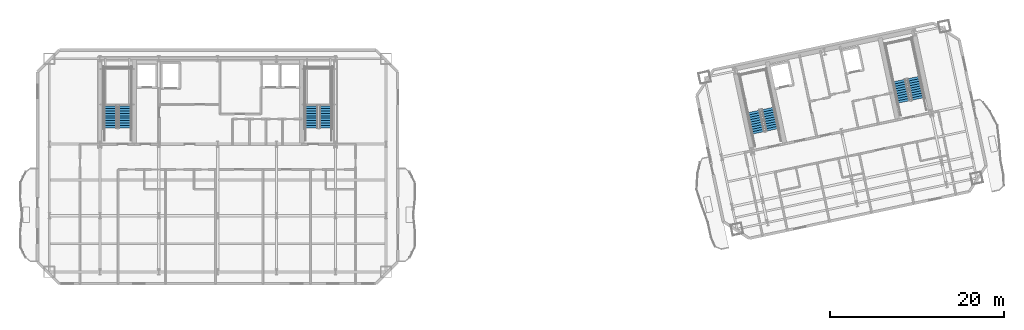
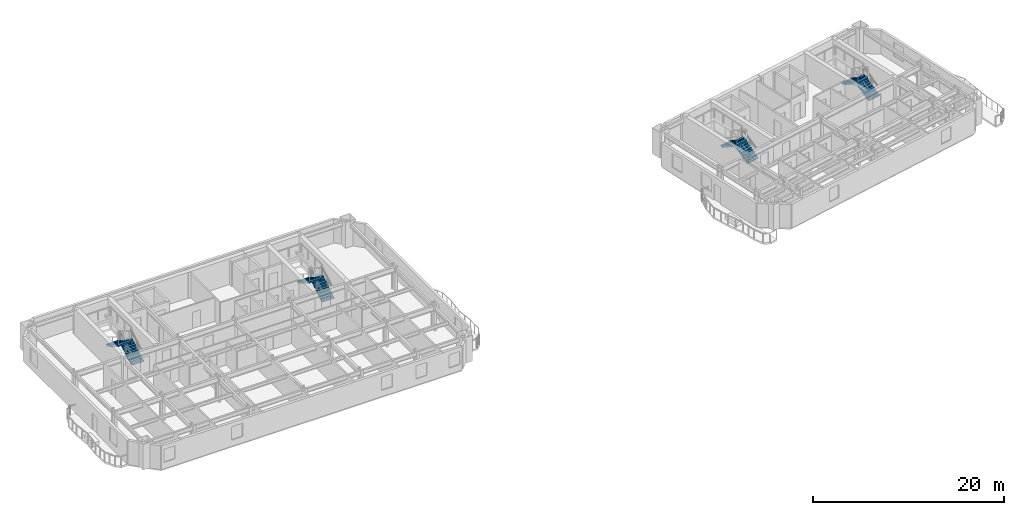
# One storey, part 9 of 13: 8 stair flights, 4 elements without a shape of their own.
"""IFC4 building model written with IfcOpenShell, lengths in metres."""

from ifc_helpers import new_model, si_unit, direction, frame, origin, place, context, subcontext, project, spatial, polyline, outline, extrude, material, type_object, element, aggregate, save


model = new_model("IFC4")

# Units and contexts
model_context = context("Model", 3, precision=1e-05, world=origin(), true_north=direction((0.0, 1.0)))
body_context = subcontext(model_context, "Body", "Model", "MODEL_VIEW")
ifc_project = project(units=[si_unit("LENGTHUNIT", "METRE"), si_unit("AREAUNIT", "SQUARE_METRE"), si_unit("VOLUMEUNIT", "CUBIC_METRE"), si_unit("PLANEANGLEUNIT", "RADIAN"), si_unit("MASSUNIT", "GRAM", prefix="KILO")], contexts=[model_context])

# Site, building, storey
site_placement = place(None, origin())
site = spatial("IfcSite", under=ifc_project, at=site_placement, CompositionType="ELEMENT")
building_placement = place(site_placement, origin())
building = spatial("IfcBuilding", under=site, at=building_placement, Name="Haevon Station Towers", CompositionType="ELEMENT")
storey_placement = place(building_placement, frame((0.0, 0.0, 182.39990234375)))
storey = spatial("IfcBuildingStorey", under=building, at=storey_placement, Name="L50", CompositionType="ELEMENT", Elevation=182.39990234375)

# Stair, stair flights
ifc_material = material(Name="Concrete C40/50", Category="concrete")
stair_type = type_object("IfcStairType", Name="STR-DL1450", PredefinedType="USERDEFINED", material=ifc_material)
stair_1_placement = place(storey_placement, origin())
stair_1 = element("IfcStair", 1, at=stair_1_placement, inside=storey, type_object=stair_type, Name="L50 Escape Stair ST1", ObjectType="TWO_RETURN_STAIR", PredefinedType="USERDEFINED")
stair_flight_type = type_object("IfcStairFlightType", Name="STF-ST1450", PredefinedType="STRAIGHT", material=ifc_material)
stair_flight_1_placement = place(storey_placement, frame((26.85498046875, 40.050048828125, 0.0), z_axis=(0.0, 0.0, 1.0), x_axis=(0.0, 1.0, 0.0)))
stair_flight_1 = element("IfcStairFlight", 2, at=stair_flight_1_placement, type_object=stair_flight_type, Name="L50 ST1 Flight 1", NumberOfRisers=10, NumberOfTreads=9, PredefinedType="STRAIGHT", RiserHeight=0.165, TreadLength=0.28, context=body_context, shape_type="SweptSolid", body=[
    extrude(outline(polyline([(0.0, 0.0), (0.0, 0.1650390625), (0.280029296875, 0.1650390625), (0.280029296875, 0.330078125), (0.56005859375, 0.330078125), (0.56005859375, 0.4951171875), (0.840087890625, 0.4951171875), (0.840087890625, 0.659912109375), (1.1201171875, 0.659912109375), (1.1201171875, 0.824951171875), (1.39990234375, 0.824951171875), (1.39990234375, 0.989990234375), (1.679931640625, 0.989990234375), (1.679931640625, 1.155029296875), (1.9599609375, 1.155029296875), (1.9599609375, 1.320068359375), (2.239990234375, 1.320068359375), (2.239990234375, 1.485107421875), (2.52001953125, 1.485107421875), (2.52001953125, 1.64990234375), (2.52001953125, 1.29931640625), (0.31494140625, 0.0), (0.0, 0.0)])), frame((0.0, 0.72509765625, 0.0), z_axis=(0.0, -1.0, 0.0), x_axis=(1.0, 0.0, 0.0)), (0.0, 0.0, 1.0), 1.449951171875),
])
stair_flight_2_placement = place(storey_placement, frame((25.205078125, 42.570068359375, 1.650146484375), z_axis=(0.0, 0.0, 1.0), x_axis=(0.0, -1.0, 0.0)))
stair_flight_2 = element("IfcStairFlight", 3, at=stair_flight_2_placement, type_object=stair_flight_type, Name="L50 ST1 Flight 2", NumberOfRisers=10, NumberOfTreads=9, PredefinedType="STRAIGHT", RiserHeight=0.165, TreadLength=0.28, context=body_context, shape_type="SweptSolid", body=[
    extrude(outline(polyline([(0.0, 0.0), (0.0, 0.1650390625), (0.280029296875, 0.1650390625), (0.280029296875, 0.330078125), (0.56005859375, 0.330078125), (0.56005859375, 0.4951171875), (0.840087890625, 0.4951171875), (0.840087890625, 0.659912109375), (1.1201171875, 0.659912109375), (1.1201171875, 0.824951171875), (1.39990234375, 0.824951171875), (1.39990234375, 0.989990234375), (1.679931640625, 0.989990234375), (1.679931640625, 1.155029296875), (1.9599609375, 1.155029296875), (1.9599609375, 1.320068359375), (2.239990234375, 1.320068359375), (2.239990234375, 1.485107421875), (2.52001953125, 1.485107421875), (2.52001953125, 1.64990234375), (2.52001953125, 1.29931640625), (0.31494140625, 0.0), (0.0, 0.0)])), frame((0.0, 0.72509765625, 0.0), z_axis=(0.0, -1.0, 0.0), x_axis=(1.0, 0.0, 0.0)), (0.0, 0.0, 1.0), 1.449951171875),
])
aggregate(stair_1, [stair_flight_1, stair_flight_2])

stair_2_placement = place(storey_placement, origin())
stair_2 = element("IfcStair", 4, at=stair_2_placement, inside=storey, type_object=stair_type, Name="L50 Escape Stair ST2", ObjectType="TWO_RETURN_STAIR", PredefinedType="USERDEFINED")
stair_flight_3_placement = place(storey_placement, frame((49.89501953125, 40.050048828125, 0.0), z_axis=(0.0, 0.0, 1.0), x_axis=(0.0, 1.0, 0.0)))
stair_flight_3 = element("IfcStairFlight", 5, at=stair_flight_3_placement, type_object=stair_flight_type, Name="L50 ST2 Flight 1", NumberOfRisers=10, NumberOfTreads=9, PredefinedType="STRAIGHT", RiserHeight=0.165, TreadLength=0.28, context=body_context, shape_type="SweptSolid", body=[
    extrude(outline(polyline([(0.0, 0.0), (0.0, 0.1650390625), (0.280029296875, 0.1650390625), (0.280029296875, 0.330078125), (0.56005859375, 0.330078125), (0.56005859375, 0.4951171875), (0.840087890625, 0.4951171875), (0.840087890625, 0.659912109375), (1.1201171875, 0.659912109375), (1.1201171875, 0.824951171875), (1.39990234375, 0.824951171875), (1.39990234375, 0.989990234375), (1.679931640625, 0.989990234375), (1.679931640625, 1.155029296875), (1.9599609375, 1.155029296875), (1.9599609375, 1.320068359375), (2.239990234375, 1.320068359375), (2.239990234375, 1.485107421875), (2.52001953125, 1.485107421875), (2.52001953125, 1.64990234375), (2.52001953125, 1.29931640625), (0.31494140625, 0.0), (0.0, 0.0)])), frame((0.0, 0.72509765625, 0.0), z_axis=(0.0, -1.0, 0.0), x_axis=(1.0, 0.0, 0.0)), (0.0, 0.0, 1.0), 1.449951171875),
])
stair_flight_4_placement = place(storey_placement, frame((48.2451171875, 42.570068359375, 1.650146484375), z_axis=(0.0, 0.0, 1.0), x_axis=(0.0, -1.0, 0.0)))
stair_flight_4 = element("IfcStairFlight", 6, at=stair_flight_4_placement, type_object=stair_flight_type, Name="L50 ST2 Flight 2", NumberOfRisers=10, NumberOfTreads=9, PredefinedType="STRAIGHT", RiserHeight=0.165, TreadLength=0.28, context=body_context, shape_type="SweptSolid", body=[
    extrude(outline(polyline([(0.0, 0.0), (0.0, 0.1650390625), (0.280029296875, 0.1650390625), (0.280029296875, 0.330078125), (0.56005859375, 0.330078125), (0.56005859375, 0.4951171875), (0.840087890625, 0.4951171875), (0.840087890625, 0.659912109375), (1.1201171875, 0.659912109375), (1.1201171875, 0.824951171875), (1.39990234375, 0.824951171875), (1.39990234375, 0.989990234375), (1.679931640625, 0.989990234375), (1.679931640625, 1.155029296875), (1.9599609375, 1.155029296875), (1.9599609375, 1.320068359375), (2.239990234375, 1.320068359375), (2.239990234375, 1.485107421875), (2.52001953125, 1.485107421875), (2.52001953125, 1.64990234375), (2.52001953125, 1.29931640625), (0.31494140625, 0.0), (0.0, 0.0)])), frame((0.0, 0.72509765625, 0.0), z_axis=(0.0, -1.0, 0.0), x_axis=(1.0, 0.0, 0.0)), (0.0, 0.0, 1.0), 1.449951171875),
])
aggregate(stair_2, [stair_flight_3, stair_flight_4])

stair_3_placement = place(storey_placement, origin())
stair_3 = element("IfcStair", 7, at=stair_3_placement, inside=storey, type_object=stair_type, Name="L50 Escape Stair ST3", ObjectType="TWO_RETURN_STAIR", PredefinedType="USERDEFINED")
stair_flight_5_placement = place(storey_placement, frame((101.1015625, 39.8330078125, 0.0), z_axis=(0.0, 0.0, 1.0), x_axis=(-0.207911690818, 0.978147600734, 0.0)))
stair_flight_5 = element("IfcStairFlight", 8, at=stair_flight_5_placement, type_object=stair_flight_type, Name="L50 ST3 Flight 1", NumberOfRisers=10, NumberOfTreads=9, PredefinedType="STRAIGHT", RiserHeight=0.165, TreadLength=0.28, context=body_context, shape_type="SweptSolid", body=[
    extrude(outline(polyline([(0.0, 0.0), (0.0, 0.1650390625), (0.280029296875, 0.1650390625), (0.280029296875, 0.330078125), (0.56005859375, 0.330078125), (0.56005859375, 0.4951171875), (0.840087890625, 0.4951171875), (0.840087890625, 0.659912109375), (1.1201171875, 0.659912109375), (1.1201171875, 0.824951171875), (1.39990234375, 0.824951171875), (1.39990234375, 0.989990234375), (1.679931640625, 0.989990234375), (1.679931640625, 1.155029296875), (1.9599609375, 1.155029296875), (1.9599609375, 1.320068359375), (2.239990234375, 1.320068359375), (2.239990234375, 1.485107421875), (2.52001953125, 1.485107421875), (2.52001953125, 1.64990234375), (2.52001953125, 1.29931640625), (0.31494140625, 0.0), (0.0, 0.0)])), frame((0.0, 0.72509765625, 0.0), z_axis=(0.0, -1.0, 0.0), x_axis=(1.0, 0.0, 0.0)), (0.0, 0.0, 1.0), 1.449951171875),
])
stair_flight_6_placement = place(storey_placement, frame((98.9638671875, 41.955078125, 1.650146484375), z_axis=(0.0, 0.0, 1.0), x_axis=(0.207911690818, -0.978147600734, 0.0)))
stair_flight_6 = element("IfcStairFlight", 9, at=stair_flight_6_placement, type_object=stair_flight_type, Name="L50 ST3 Flight 2", NumberOfRisers=10, NumberOfTreads=9, PredefinedType="STRAIGHT", RiserHeight=0.165, TreadLength=0.28, context=body_context, shape_type="SweptSolid", body=[
    extrude(outline(polyline([(0.0, 0.0), (0.0, 0.1650390625), (0.280029296875, 0.1650390625), (0.280029296875, 0.330078125), (0.56005859375, 0.330078125), (0.56005859375, 0.4951171875), (0.840087890625, 0.4951171875), (0.840087890625, 0.659912109375), (1.1201171875, 0.659912109375), (1.1201171875, 0.824951171875), (1.39990234375, 0.824951171875), (1.39990234375, 0.989990234375), (1.679931640625, 0.989990234375), (1.679931640625, 1.155029296875), (1.9599609375, 1.155029296875), (1.9599609375, 1.320068359375), (2.239990234375, 1.320068359375), (2.239990234375, 1.485107421875), (2.52001953125, 1.485107421875), (2.52001953125, 1.64990234375), (2.52001953125, 1.29931640625), (0.31494140625, 0.0), (0.0, 0.0)])), frame((0.0, 0.72509765625, 0.0), z_axis=(0.0, -1.0, 0.0), x_axis=(1.0, 0.0, 0.0)), (0.0, 0.0, 1.0), 1.449951171875),
])
aggregate(stair_3, [stair_flight_5, stair_flight_6])

stair_4_placement = place(storey_placement, origin())
stair_4 = element("IfcStair", 10, at=stair_4_placement, inside=storey, type_object=stair_type, Name="L50 Escape Stair ST4", ObjectType="TWO_RETURN_STAIR", PredefinedType="USERDEFINED")
stair_flight_7_placement = place(storey_placement, frame((117.788818359375, 43.380126953125, 0.0), z_axis=(0.0, 0.0, 1.0), x_axis=(-0.207911690818, 0.978147600734, 0.0)))
stair_flight_7 = element("IfcStairFlight", 11, at=stair_flight_7_placement, type_object=stair_flight_type, Name="L50 ST4 Flight 1", NumberOfRisers=10, NumberOfTreads=9, PredefinedType="STRAIGHT", RiserHeight=0.165, TreadLength=0.28, context=body_context, shape_type="SweptSolid", body=[
    extrude(outline(polyline([(0.0, 0.0), (0.0, 0.1650390625), (0.280029296875, 0.1650390625), (0.280029296875, 0.330078125), (0.56005859375, 0.330078125), (0.56005859375, 0.4951171875), (0.840087890625, 0.4951171875), (0.840087890625, 0.659912109375), (1.1201171875, 0.659912109375), (1.1201171875, 0.824951171875), (1.39990234375, 0.824951171875), (1.39990234375, 0.989990234375), (1.679931640625, 0.989990234375), (1.679931640625, 1.155029296875), (1.9599609375, 1.155029296875), (1.9599609375, 1.320068359375), (2.239990234375, 1.320068359375), (2.239990234375, 1.485107421875), (2.52001953125, 1.485107421875), (2.52001953125, 1.64990234375), (2.52001953125, 1.29931640625), (0.31494140625, 0.0), (0.0, 0.0)])), frame((0.0, 0.72509765625, 0.0), z_axis=(0.0, -1.0, 0.0), x_axis=(1.0, 0.0, 0.0)), (0.0, 0.0, 1.0), 1.449951171875),
])
stair_flight_8_placement = place(storey_placement, frame((115.65087890625, 45.501953125, 1.650146484375), z_axis=(0.0, 0.0, 1.0), x_axis=(0.207911690818, -0.978147600734, 0.0)))
stair_flight_8 = element("IfcStairFlight", 12, at=stair_flight_8_placement, type_object=stair_flight_type, Name="L50 ST4 Flight 2", NumberOfRisers=10, NumberOfTreads=9, PredefinedType="STRAIGHT", RiserHeight=0.165, TreadLength=0.28, context=body_context, shape_type="SweptSolid", body=[
    extrude(outline(polyline([(0.0, 0.0), (0.0, 0.1650390625), (0.280029296875, 0.1650390625), (0.280029296875, 0.330078125), (0.56005859375, 0.330078125), (0.56005859375, 0.4951171875), (0.840087890625, 0.4951171875), (0.840087890625, 0.659912109375), (1.1201171875, 0.659912109375), (1.1201171875, 0.824951171875), (1.39990234375, 0.824951171875), (1.39990234375, 0.989990234375), (1.679931640625, 0.989990234375), (1.679931640625, 1.155029296875), (1.9599609375, 1.155029296875), (1.9599609375, 1.320068359375), (2.239990234375, 1.320068359375), (2.239990234375, 1.485107421875), (2.52001953125, 1.485107421875), (2.52001953125, 1.64990234375), (2.52001953125, 1.29931640625), (0.31494140625, 0.0), (0.0, 0.0)])), frame((0.0, 0.72509765625, 0.0), z_axis=(0.0, -1.0, 0.0), x_axis=(1.0, 0.0, 0.0)), (0.0, 0.0, 1.0), 1.449951171875),
])
aggregate(stair_4, [stair_flight_7, stair_flight_8])

save(model, "model.ifc")
